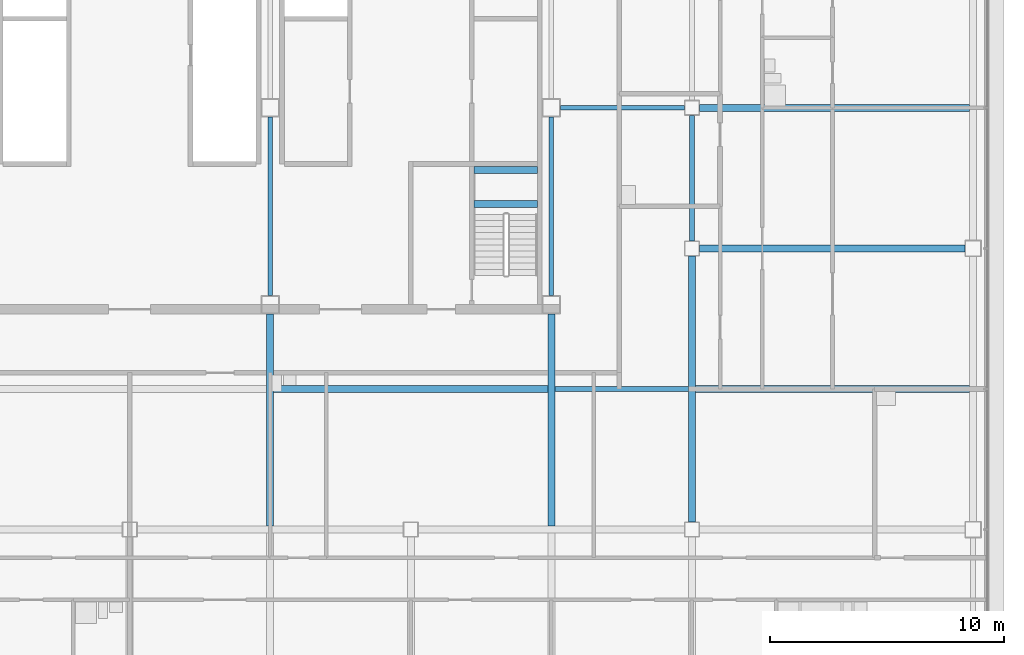
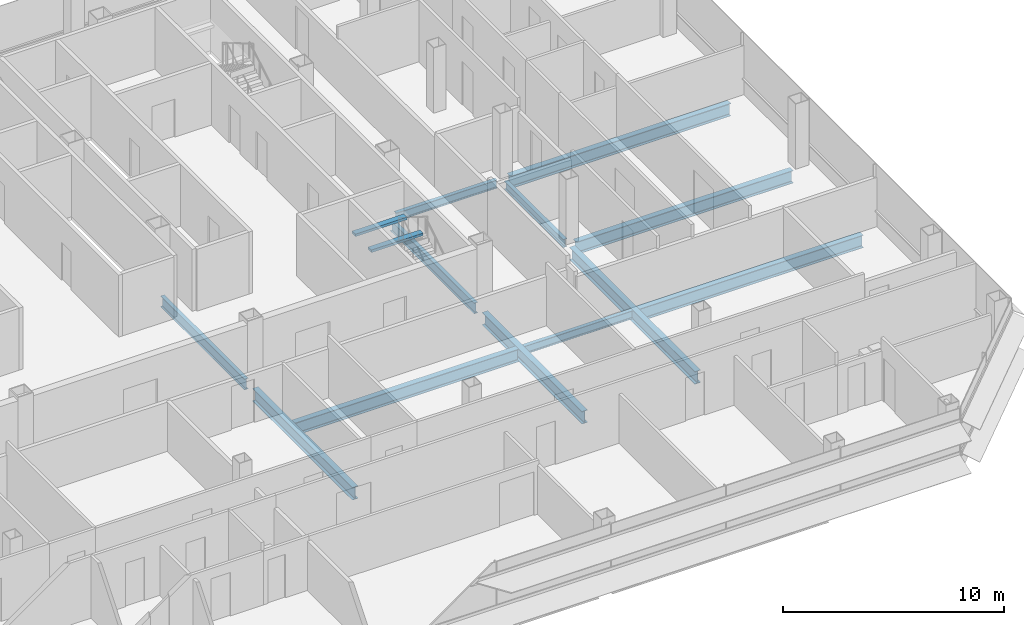
# One storey, part 10 of 26: 14 beams.
"""IFC4 building model written with IfcOpenShell, lengths in metres."""

from ifc_helpers import new_model, si_unit, direction, frame, origin, origin_2d, place, context, subcontext, project, spatial, rectangle, i_section, extrude, material, material_profile, profile_set, type_object, element, save


model = new_model("IFC4")

# Units and contexts
model_context = context("Model", 3, precision=1e-05, world=origin(), true_north=direction((0.0, 1.0)))
body_context = subcontext(model_context, "Body", "Model", "MODEL_VIEW")
ifc_project = project(units=[si_unit("LENGTHUNIT", "METRE"), si_unit("AREAUNIT", "SQUARE_METRE"), si_unit("VOLUMEUNIT", "CUBIC_METRE"), si_unit("PLANEANGLEUNIT", "RADIAN"), si_unit("MASSUNIT", "GRAM", prefix="KILO")], contexts=[model_context])

# Site, building, storey
site_placement = place(None, origin())
site = spatial("IfcSite", under=ifc_project, at=site_placement, CompositionType="ELEMENT")
building_placement = place(site_placement, origin())
building = spatial("IfcBuilding", under=site, at=building_placement, Name="Sorahane Residences", CompositionType="ELEMENT")
storey_placement = place(building_placement, frame((0.0, 0.0, 151.0)))
storey = spatial("IfcBuildingStorey", under=building, at=storey_placement, Name="L34", CompositionType="ELEMENT", Elevation=151.0)

# Beams
ifc_material_1 = material(Name="Concrete C40", Category="concrete")
ifc_material_profile_1 = material_profile(ifc_material_1, rectangle(XDim=0.300048828125, YDim=0.139892578125, at=origin_2d()), Name="300x140")
ifc_profile_set_1 = profile_set([ifc_material_profile_1], Name="Concrete C40")
beam_type_1 = type_object("IfcBeamType", Name="RC landing beam 300 x 140 Concrete C40", PredefinedType="BEAM", material=ifc_profile_set_1)
for number, where, z_axis, x_axis, name in (
    (1, (38.699951171875, 25.89990234375, 1.530029296875), (1.0, 0.0, 0.0), (0.0, 1.0, 0.0), "Landing beam"),
    (2, (38.699951171875, 27.35009765625, 1.530029296875), (1.0, 0.0, 0.0), (0.0, 1.0, 0.0), "Landing beam"),
):
    element("IfcBeam", number, at=place(storey_placement, frame(where, z_axis=z_axis, x_axis=x_axis)), inside=storey, type_object=beam_type_1, Name=name, PredefinedType="BEAM", context=body_context, shape_type="SweptSolid", body=[
        extrude(rectangle(XDim=0.300048828125, YDim=0.139892578125, at=origin_2d()), origin(), (0.0, 0.0, 1.0), 2.699951171875),
    ])
ifc_material_2 = material(Name="Steel Q355B", Category="steel")
ifc_material_profile_2 = material_profile(ifc_material_2, i_section(OverallWidth=0.199951171875, OverallDepth=0.449951171875, WebThickness=0.009033203125, FlangeThickness=0.013916015625, FilletRadius=0.02001953125, at=origin_2d()), Name="HN 450x200x9x14")
ifc_profile_set_2 = profile_set([ifc_material_profile_2], Name="Steel Q355B")
beam_type_2 = type_object("IfcBeamType", Name="Steel floor beam HN 450x200x9x14 Q355B", PredefinedType="BEAM", material=ifc_profile_set_2)
beam_1_placement = place(storey_placement, frame((48.0, 24.324951171875, -0.405029296875), z_axis=(0.0, 1.0, 0.0), x_axis=(-1.0, 0.0, 0.0)))
element("IfcBeam", 3, at=beam_1_placement, inside=storey, type_object=beam_type_2, Name="Beam L34 060", PredefinedType="BEAM", context=body_context, shape_type="SweptSolid", body=[
    extrude(i_section(OverallWidth=0.199951171875, OverallDepth=0.449951171875, WebThickness=0.009033203125, FlangeThickness=0.013916015625, FilletRadius=0.02001953125, at=origin_2d()), origin(), (0.0, 0.0, 1.0), 5.35009765625),
])
beam_2_placement = place(storey_placement, frame((42.14990234375, 18.0, -0.405029296875), z_axis=(1.0, 0.0, 0.0), x_axis=(0.0, 1.0, 0.0)))
element("IfcBeam", 4, at=beam_2_placement, inside=storey, type_object=beam_type_2, Name="Beam L34 083", PredefinedType="BEAM", context=body_context, shape_type="SweptSolid", body=[
    extrude(i_section(OverallWidth=0.199951171875, OverallDepth=0.449951171875, WebThickness=0.009033203125, FlangeThickness=0.013916015625, FilletRadius=0.02001953125, at=origin_2d()), origin(), (0.0, 0.0, 1.0), 5.7001953125),
])
beam_3_placement = place(storey_placement, frame((42.39990234375, 30.0, -0.405029296875), z_axis=(1.0, 0.0, 0.0), x_axis=(0.0, 1.0, 0.0)))
element("IfcBeam", 5, at=beam_3_placement, inside=storey, type_object=beam_type_2, Name="Beam L34 087", PredefinedType="BEAM", context=body_context, shape_type="SweptSolid", body=[
    extrude(i_section(OverallWidth=0.199951171875, OverallDepth=0.449951171875, WebThickness=0.009033203125, FlangeThickness=0.013916015625, FilletRadius=0.02001953125, at=origin_2d()), origin(), (0.0, 0.0, 1.0), 5.275146484375),
])
ifc_material_3 = material(Name="Steel Q355B", Category="steel")
ifc_material_profile_3 = material_profile(ifc_material_3, i_section(OverallWidth=0.199951171875, OverallDepth=0.60009765625, WebThickness=0.010986328125, FlangeThickness=0.01708984375, FilletRadius=0.02392578125, at=origin_2d()), Name="HN 600x200x11x17")
ifc_profile_set_3 = profile_set([ifc_material_profile_3], Name="Steel Q355B")
beam_type_3 = type_object("IfcBeamType", Name="Steel floor beam HN 600x200x11x17 Q355B", PredefinedType="BEAM", material=ifc_profile_set_3)
for number, where, z_axis, x_axis, name in (
    (6, (30.0, 22.0, -0.47998046875), (0.0, 1.0, 0.0), (-1.0, 0.0, 0.0), "Beam L34 046"),
    (7, (42.0, 22.0, -0.47998046875), (0.0, 1.0, 0.0), (-1.0, 0.0, 0.0), "Beam L34 054"),
):
    element("IfcBeam", number, at=place(storey_placement, frame(where, z_axis=z_axis, x_axis=x_axis)), inside=storey, type_object=beam_type_3, Name=name, PredefinedType="BEAM", context=body_context, shape_type="SweptSolid", body=[
        extrude(i_section(OverallWidth=0.199951171875, OverallDepth=0.60009765625, WebThickness=0.010986328125, FlangeThickness=0.01708984375, FilletRadius=0.02392578125, at=origin_2d()), origin(), (0.0, 0.0, 1.0), 7.60009765625),
    ])
ifc_material_4 = material(Name="Steel Q355B", Category="steel")
ifc_material_profile_4 = material_profile(ifc_material_4, i_section(OverallWidth=0.300048828125, OverallDepth=0.699951171875, WebThickness=0.012939453125, FlangeThickness=0.02392578125, FilletRadius=0.028076171875, at=origin_2d()), Name="HN 700x300x13x24")
ifc_profile_set_4 = profile_set([ifc_material_profile_4], Name="Steel Q355B")
beam_type_4 = type_object("IfcBeamType", Name="Steel floor beam HN 700x300x13x24 Q355B", PredefinedType="BEAM", material=ifc_profile_set_4)
beam_4_placement = place(storey_placement, frame((48.324951171875, 24.0, -0.530029296875), z_axis=(1.0, 0.0, 0.0), x_axis=(0.0, 1.0, 0.0)))
element("IfcBeam", 8, at=beam_4_placement, inside=storey, type_object=beam_type_4, Name="Beam L34 012", PredefinedType="BEAM", context=body_context, shape_type="SweptSolid", body=[
    extrude(i_section(OverallWidth=0.300048828125, OverallDepth=0.699951171875, WebThickness=0.012939453125, FlangeThickness=0.02392578125, FilletRadius=0.028076171875, at=origin_2d()), origin(), (0.0, 0.0, 1.0), 11.324951171875),
])
for number, where, z_axis, x_axis, name in (
    (9, (30.0, 12.14990234375, -0.530029296875), (0.0, 1.0, 0.0), (-1.0, 0.0, 0.0), "Beam L34 045"),
    (10, (42.0, 12.14990234375, -0.530029296875), (0.0, 1.0, 0.0), (-1.0, 0.0, 0.0), "Beam L34 053"),
):
    element("IfcBeam", number, at=place(storey_placement, frame(where, z_axis=z_axis, x_axis=x_axis)), inside=storey, type_object=beam_type_4, Name=name, PredefinedType="BEAM", context=body_context, shape_type="SweptSolid", body=[
        extrude(i_section(OverallWidth=0.300048828125, OverallDepth=0.699951171875, WebThickness=0.012939453125, FlangeThickness=0.02392578125, FilletRadius=0.028076171875, at=origin_2d()), origin(), (0.0, 0.0, 1.0), 9.050048828125),
    ])
beam_5_placement = place(storey_placement, frame((48.0, 12.324951171875, -0.530029296875), z_axis=(0.0, 1.0, 0.0), x_axis=(-1.0, 0.0, 0.0)))
element("IfcBeam", 11, at=beam_5_placement, inside=storey, type_object=beam_type_4, Name="Beam L34 059", PredefinedType="BEAM", context=body_context, shape_type="SweptSolid", body=[
    extrude(i_section(OverallWidth=0.300048828125, OverallDepth=0.699951171875, WebThickness=0.012939453125, FlangeThickness=0.02392578125, FilletRadius=0.028076171875, at=origin_2d()), origin(), (0.0, 0.0, 1.0), 11.35009765625),
])
for number, where, z_axis, x_axis, name in (
    (12, (30.14990234375, 18.0, -0.530029296875), (1.0, 0.0, 0.0), (0.0, 1.0, 0.0), "Beam L34 082"),
    (13, (48.14990234375, 18.0, -0.530029296875), (1.0, 0.0, 0.0), (0.0, 1.0, 0.0), "Beam L34 084"),
):
    element("IfcBeam", number, at=place(storey_placement, frame(where, z_axis=z_axis, x_axis=x_axis)), inside=storey, type_object=beam_type_4, Name=name, PredefinedType="BEAM", context=body_context, shape_type="SweptSolid", body=[
        extrude(i_section(OverallWidth=0.300048828125, OverallDepth=0.699951171875, WebThickness=0.012939453125, FlangeThickness=0.02392578125, FilletRadius=0.028076171875, at=origin_2d()), origin(), (0.0, 0.0, 1.0), 11.7001953125),
    ])
beam_6_placement = place(storey_placement, frame((48.324951171875, 30.0, -0.530029296875), z_axis=(1.0, 0.0, 0.0), x_axis=(0.0, 1.0, 0.0)))
element("IfcBeam", 14, at=beam_6_placement, inside=storey, type_object=beam_type_4, Name="Beam L34 088", PredefinedType="BEAM", context=body_context, shape_type="SweptSolid", body=[
    extrude(i_section(OverallWidth=0.300048828125, OverallDepth=0.699951171875, WebThickness=0.012939453125, FlangeThickness=0.02392578125, FilletRadius=0.028076171875, at=origin_2d()), origin(), (0.0, 0.0, 1.0), 11.525146484375),
])

save(model, "model.ifc")
